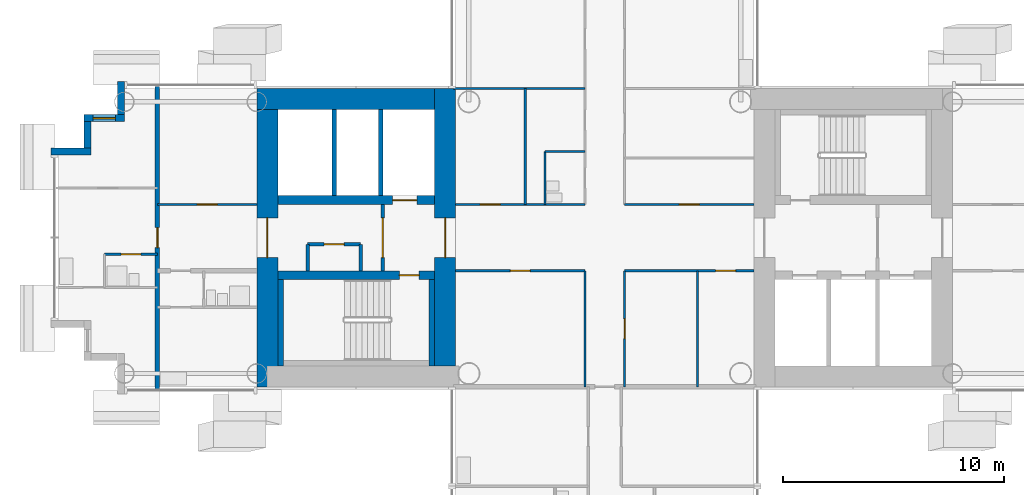
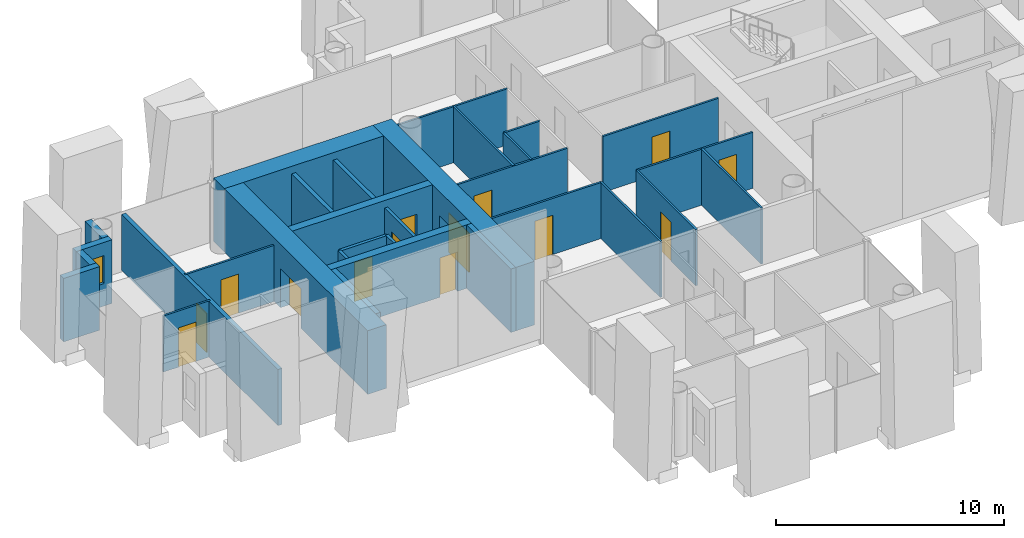
# One storey, part 9 of 21: 31 walls, 14 doors, 1 window, 15 openings.
"""IFC4 building model written with IfcOpenShell, lengths in metres."""

from ifc_helpers import new_model, si_unit, direction, frame, frame_2d, origin, place, context, subcontext, project, spatial, rectangle, extrude, material, layer, layer_set, type_object, element, fill, save


model = new_model("IFC4")

# Units and contexts
model_context = context("Model", 3, precision=1e-05, world=origin(), true_north=direction((0.0, 1.0)))
body_context = subcontext(model_context, "Body", "Model", "MODEL_VIEW")
ifc_project = project(units=[si_unit("LENGTHUNIT", "METRE"), si_unit("AREAUNIT", "SQUARE_METRE"), si_unit("VOLUMEUNIT", "CUBIC_METRE"), si_unit("PLANEANGLEUNIT", "RADIAN"), si_unit("MASSUNIT", "GRAM", prefix="KILO")], contexts=[model_context])

# Site, building, storey
site_placement = place(None, origin())
site = spatial("IfcSite", under=ifc_project, at=site_placement, CompositionType="ELEMENT")
building_placement = place(site_placement, origin())
building = spatial("IfcBuilding", under=site, at=building_placement, Name="Ipe Terrace Towers", CompositionType="ELEMENT")
storey_placement = place(building_placement, frame((0.0, 0.0, 93.60009765625)))
storey = spatial("IfcBuildingStorey", under=building, at=storey_placement, Name="L25", CompositionType="ELEMENT", Elevation=93.60009765625)

# Wall
ifc_material_1 = material(Name="Concrete C40/50 with buff precast cladding", Category="concrete")
ifc_layer_1 = layer(ifc_material_1, 0.320068359375)
ifc_layer_set_1 = layer_set([ifc_layer_1], Name="BUFF CLADDING WALL 320")
wall_type_1 = type_object("IfcWallType", Name="BUFF CLADDING WALL 320", PredefinedType="STANDARD", material=ifc_layer_set_1)
wall_1_placement = place(storey_placement, frame((-57.909912109375, 7.070068359375, -0.300048828125), z_axis=(0.0, 0.0, 1.0), x_axis=(0.0, -1.0, 0.0)))
element("IfcWall", 1, at=wall_1_placement, inside=storey, type_object=wall_type_1, Name="T1-W-L25-47a wall", PredefinedType="STANDARD", context=body_context, shape_type="SweptSolid", body=[
    extrude(rectangle(XDim=1.5, YDim=0.320068359375, at=frame_2d((0.75, 0.0))), origin(), (0.0, 0.0, 1.0), 3.39990234375),
])

# Wall, opening, window
wall_2_placement = place(storey_placement, frame((-57.75, 5.409912109375, -0.300048828125), z_axis=(0.0, 0.0, 1.0), x_axis=(-1.0, 0.0, 0.0)))
wall_2 = element("IfcWall", 2, at=wall_2_placement, inside=storey, type_object=wall_type_1, Name="T1-W-L25-48a wall", PredefinedType="STANDARD", context=body_context, shape_type="SweptSolid", body=[
    extrude(rectangle(XDim=1.820068359375, YDim=0.320068359375, at=frame_2d((0.91015625, 0.0))), origin(), (0.0, 0.0, 1.0), 3.39990234375),
])
opening_1_placement = place(wall_2_placement, frame((0.409912109375, 0.0, 1.199951171875)))
opening_1 = element("IfcOpeningElement", 3, at=opening_1_placement, cuts=wall_2, Name="Opening T1-W-05-L25-04", PredefinedType="OPENING", context=body_context, shape_type="SweptSolid", body=[
    extrude(rectangle(XDim=1.0, YDim=1.5, at=frame_2d((0.5, 0.75))), frame((0.0, 0.169921875, 0.0), z_axis=(0.0, -1.0, 0.0), x_axis=(1.0, 0.0, 0.0)), (0.0, 0.0, 1.0), 0.340087890625),
])
ifc_material_2 = material(Name="Glass, clear laminated", Category="glass")
window_type = type_object("IfcWindowType", Name="DWELLING WINDOW 1000 x 1500", PartitioningType="SINGLE_PANEL", PredefinedType="WINDOW", material=ifc_material_2)
window_placement = place(opening_1_placement, origin())
window = element("IfcWindow", 4, at=window_placement, inside=storey, type_object=window_type, Name="W-05 window", OverallHeight=1.5, OverallWidth=1.0, PartitioningType="SINGLE_PANEL", PredefinedType="WINDOW", context=body_context, shape_type="SweptSolid", body=[
    extrude(rectangle(XDim=1.0, YDim=1.5, at=frame_2d((0.5, 0.75))), frame((0.0, 0.030029296875, 0.0), z_axis=(0.0, -1.0, 0.0), x_axis=(1.0, 0.0, 0.0)), (0.0, 0.0, 1.0), 0.06005859375),
])
fill(opening_1, window)

# Walls
wall_3_placement = place(storey_placement, frame((-59.409912109375, 5.25, -0.300048828125), z_axis=(0.0, 0.0, 1.0), x_axis=(0.0, -1.0, 0.0)))
element("IfcWall", 5, at=wall_3_placement, inside=storey, type_object=wall_type_1, Name="T1-W-L25-49a wall", PredefinedType="STANDARD", context=body_context, shape_type="SweptSolid", body=[
    extrude(rectangle(XDim=1.179931640625, YDim=0.320068359375, at=frame_2d((0.58984375, 0.0))), origin(), (0.0, 0.0, 1.0), 3.39990234375),
])
wall_4_placement = place(storey_placement, frame((-59.25, 3.909912109375, -0.300048828125), z_axis=(0.0, 0.0, 1.0), x_axis=(-1.0, 0.0, 0.0)))
element("IfcWall", 6, at=wall_4_placement, inside=storey, type_object=wall_type_1, Name="T1-W-L25-50a wall", PredefinedType="STANDARD", context=body_context, shape_type="SweptSolid", body=[
    extrude(rectangle(XDim=1.820068359375, YDim=0.320068359375, at=frame_2d((0.91015625, 0.0))), origin(), (0.0, 0.0, 1.0), 3.39990234375),
])
ifc_material_3 = material(Name="Gypsum board partition", Category="plasterboard")
ifc_layer_2 = layer(ifc_material_3, 0.10009765625)
ifc_layer_set_2 = layer_set([ifc_layer_2], Name="Gypsum board partition 100 mm")
wall_type_2 = type_object("IfcWallType", Name="Gypsum board partition 100 mm", PredefinedType="PARTITIONING", material=ifc_layer_set_2)
wall_5_placement = place(storey_placement, frame((-39.60009765625, 1.5, 0.0), z_axis=(0.0, 0.0, 1.0), x_axis=(0.0, 1.0, 0.0)))
element("IfcWall", 7, at=wall_5_placement, inside=storey, type_object=wall_type_2, Name="Gypsum board partition T1 L25 W04", PredefinedType="PARTITIONING", context=body_context, shape_type="SweptSolid", body=[
    extrude(rectangle(XDim=5.25, YDim=0.10009765625, at=frame_2d((2.625, 0.0))), origin(), (0.0, 0.0, 1.0), 3.0),
])
wall_6_placement = place(storey_placement, frame((-38.699951171875, 1.5, 0.0), z_axis=(0.0, 0.0, 1.0), x_axis=(0.0, 1.0, 0.0)))
element("IfcWall", 8, at=wall_6_placement, inside=storey, type_object=wall_type_2, Name="Gypsum board partition T1 L25 W05", PredefinedType="PARTITIONING", context=body_context, shape_type="SweptSolid", body=[
    extrude(rectangle(XDim=2.39990234375, YDim=0.10009765625, at=frame_2d((1.199951171875, 0.0))), origin(), (0.0, 0.0, 1.0), 3.0),
])
wall_7_placement = place(storey_placement, frame((-36.89990234375, -6.75, 0.0), z_axis=(0.0, 0.0, 1.0), x_axis=(0.0, 1.0, 0.0)))
element("IfcWall", 9, at=wall_7_placement, inside=storey, type_object=wall_type_2, Name="Gypsum board partition T1 L25 W07", PredefinedType="PARTITIONING", context=body_context, shape_type="SweptSolid", body=[
    extrude(rectangle(XDim=5.25, YDim=0.10009765625, at=frame_2d((2.625, 0.0))), origin(), (0.0, 0.0, 1.0), 3.0),
])

# Wall, opening, door
wall_8_placement = place(storey_placement, frame((-35.10009765625, -6.75, 0.0), z_axis=(0.0, 0.0, 1.0), x_axis=(0.0, 1.0, 0.0)))
wall_8 = element("IfcWall", 10, at=wall_8_placement, inside=storey, type_object=wall_type_2, Name="Gypsum board partition T1 L25 W11", PredefinedType="PARTITIONING", context=body_context, shape_type="SweptSolid", body=[
    extrude(rectangle(XDim=5.25, YDim=0.10009765625, at=frame_2d((2.625, 0.0))), origin(), (0.0, 0.0, 1.0), 3.0),
])
opening_2_placement = place(wall_8_placement, frame((2.175048828125, 0.0, 0.0)))
opening_2 = element("IfcOpeningElement", 11, at=opening_2_placement, cuts=wall_8, Name="Opening T1-Z2C-07", PredefinedType="OPENING", context=body_context, shape_type="SweptSolid", body=[
    extrude(rectangle(XDim=0.89990234375, YDim=2.10009765625, at=frame_2d((0.449951171875, 1.050048828125))), frame((0.0, 0.06005859375, 0.0), z_axis=(0.0, -1.0, 0.0), x_axis=(1.0, 0.0, 0.0)), (0.0, 0.0, 1.0), 0.1201171875),
])
ifc_material_4 = material(Name="Timber door leaf", Category="wood")
door_type_1 = type_object("IfcDoorType", Name="Lounge door 900 x 2100", OperationType="NOTDEFINED", PredefinedType="DOOR", material=ifc_material_4)
door_1_placement = place(opening_2_placement, origin())
door_1 = element("IfcDoor", 12, at=door_1_placement, inside=storey, type_object=door_type_1, Name="Lounge door T1-Z2C-07", OperationType="SINGLE_SWING_RIGHT", OverallHeight=2.10009765625, OverallWidth=0.89990234375, PredefinedType="DOOR", context=body_context, shape_type="SweptSolid", body=[
    extrude(rectangle(XDim=0.89990234375, YDim=2.10009765625, at=frame_2d((0.449951171875, 1.050048828125))), frame((0.0, 0.02490234375, 0.0), z_axis=(0.0, -1.0, 0.0), x_axis=(1.0, 0.0, 0.0)), (0.0, 0.0, 1.0), 0.050048828125),
])
fill(opening_2, door_1)

# Wall
wall_9_placement = place(storey_placement, frame((-31.800048828125, -6.75, 0.0), z_axis=(0.0, 0.0, 1.0), x_axis=(0.0, 1.0, 0.0)))
element("IfcWall", 13, at=wall_9_placement, inside=storey, type_object=wall_type_2, Name="Gypsum board partition T1 L25 W14", PredefinedType="PARTITIONING", context=body_context, shape_type="SweptSolid", body=[
    extrude(rectangle(XDim=5.25, YDim=0.10009765625, at=frame_2d((2.625, 0.0))), origin(), (0.0, 0.0, 1.0), 3.0),
])

# Wall, opening, door
wall_10_placement = place(storey_placement, frame((-42.75, -1.5, 0.0), z_axis=(0.0, 0.0, 1.0), x_axis=(1.0, 0.0, 0.0)))
wall_10 = element("IfcWall", 14, at=wall_10_placement, inside=storey, type_object=wall_type_2, Name="Gypsum board partition T1 L25 W24", PredefinedType="PARTITIONING", context=body_context, shape_type="SweptSolid", body=[
    extrude(rectangle(XDim=5.85009765625, YDim=0.10009765625, at=frame_2d((2.925048828125, 0.0))), origin(), (0.0, 0.0, 1.0), 3.0),
])
opening_3_placement = place(wall_10_placement, frame((2.47509765625, 0.0, 0.0)))
opening_3 = element("IfcOpeningElement", 15, at=opening_3_placement, cuts=wall_10, Name="Opening T1-Z2C-06", PredefinedType="OPENING", context=body_context, shape_type="SweptSolid", body=[
    extrude(rectangle(XDim=0.89990234375, YDim=2.10009765625, at=frame_2d((0.449951171875, 1.050048828125))), frame((0.0, 0.06005859375, 0.0), z_axis=(0.0, -1.0, 0.0), x_axis=(1.0, 0.0, 0.0)), (0.0, 0.0, 1.0), 0.1201171875),
])
door_2_placement = place(opening_3_placement, origin())
door_2 = element("IfcDoor", 16, at=door_2_placement, inside=storey, type_object=door_type_1, Name="Lounge door T1-Z2C-06", OperationType="SINGLE_SWING_LEFT", OverallHeight=2.10009765625, OverallWidth=0.89990234375, PredefinedType="DOOR", context=body_context, shape_type="SweptSolid", body=[
    extrude(rectangle(XDim=0.89990234375, YDim=2.10009765625, at=frame_2d((0.449951171875, 1.050048828125))), frame((0.0, 0.02490234375, 0.0), z_axis=(0.0, -1.0, 0.0), x_axis=(1.0, 0.0, 0.0)), (0.0, 0.0, 1.0), 0.050048828125),
])
fill(opening_3, door_2)

wall_11_placement = place(storey_placement, frame((-35.10009765625, -1.5, 0.0), z_axis=(0.0, 0.0, 1.0), x_axis=(1.0, 0.0, 0.0)))
wall_11 = element("IfcWall", 17, at=wall_11_placement, inside=storey, type_object=wall_type_2, Name="Gypsum board partition T1 L25 W25", PredefinedType="PARTITIONING", context=body_context, shape_type="SweptSolid", body=[
    extrude(rectangle(XDim=5.85009765625, YDim=0.10009765625, at=frame_2d((2.925048828125, 0.0))), origin(), (0.0, 0.0, 1.0), 3.0),
])
opening_4_placement = place(wall_11_placement, frame((4.125, 0.0, 0.0)))
opening_4 = element("IfcOpeningElement", 18, at=opening_4_placement, cuts=wall_11, Name="Opening T1-Z2C-08", PredefinedType="OPENING", context=body_context, shape_type="SweptSolid", body=[
    extrude(rectangle(XDim=0.89990234375, YDim=2.10009765625, at=frame_2d((0.449951171875, 1.050048828125))), frame((0.0, 0.06005859375, 0.0), z_axis=(0.0, -1.0, 0.0), x_axis=(1.0, 0.0, 0.0)), (0.0, 0.0, 1.0), 0.1201171875),
])
door_3_placement = place(opening_4_placement, origin())
door_3 = element("IfcDoor", 19, at=door_3_placement, inside=storey, type_object=door_type_1, Name="Lounge door T1-Z2C-08", OperationType="SINGLE_SWING_RIGHT", OverallHeight=2.10009765625, OverallWidth=0.89990234375, PredefinedType="DOOR", context=body_context, shape_type="SweptSolid", body=[
    extrude(rectangle(XDim=0.89990234375, YDim=2.10009765625, at=frame_2d((0.449951171875, 1.050048828125))), frame((0.0, 0.02490234375, 0.0), z_axis=(0.0, -1.0, 0.0), x_axis=(1.0, 0.0, 0.0)), (0.0, 0.0, 1.0), 0.050048828125),
])
fill(opening_4, door_3)

wall_12_placement = place(storey_placement, frame((-58.64990234375, -0.75, 0.0), z_axis=(0.0, 0.0, 1.0), x_axis=(1.0, 0.0, 0.0)))
wall_12 = element("IfcWall", 20, at=wall_12_placement, inside=storey, type_object=wall_type_2, Name="Gypsum board partition T1 L25 W28", PredefinedType="PARTITIONING", context=body_context, shape_type="SweptSolid", body=[
    extrude(rectangle(XDim=2.39990234375, YDim=0.10009765625, at=frame_2d((1.199951171875, 0.0))), origin(), (0.0, 0.0, 1.0), 3.0),
])
opening_5_placement = place(wall_12_placement, frame((0.75, 0.0, 0.0)))
opening_5 = element("IfcOpeningElement", 21, at=opening_5_placement, cuts=wall_12, Name="Opening T1-Z2C-29", PredefinedType="OPENING", context=body_context, shape_type="SweptSolid", body=[
    extrude(rectangle(XDim=0.89990234375, YDim=2.10009765625, at=frame_2d((0.449951171875, 1.050048828125))), frame((0.0, 0.06005859375, 0.0), z_axis=(0.0, -1.0, 0.0), x_axis=(1.0, 0.0, 0.0)), (0.0, 0.0, 1.0), 0.1201171875),
])
ifc_material_5 = material(Name="Timber door leaf", Category="wood")
door_type_2 = type_object("IfcDoorType", Name="Bathroom door 900 x 2100", OperationType="NOTDEFINED", PredefinedType="DOOR", material=ifc_material_5)
door_4_placement = place(opening_5_placement, origin())
door_4 = element("IfcDoor", 22, at=door_4_placement, inside=storey, type_object=door_type_2, Name="Bathroom door T1-Z2C-29", OperationType="SINGLE_SWING_RIGHT", OverallHeight=2.10009765625, OverallWidth=0.89990234375, PredefinedType="DOOR", context=body_context, shape_type="SweptSolid", body=[
    extrude(rectangle(XDim=0.89990234375, YDim=2.10009765625, at=frame_2d((0.449951171875, 1.050048828125))), frame((0.0, 0.02490234375, 0.0), z_axis=(0.0, -1.0, 0.0), x_axis=(1.0, 0.0, 0.0)), (0.0, 0.0, 1.0), 0.050048828125),
])
fill(opening_5, door_4)

wall_13_placement = place(storey_placement, frame((-56.25, 1.5, 0.0), z_axis=(0.0, 0.0, 1.0), x_axis=(1.0, 0.0, 0.0)))
wall_13 = element("IfcWall", 23, at=wall_13_placement, inside=storey, type_object=wall_type_2, Name="Gypsum board partition T1 L25 W29", PredefinedType="PARTITIONING", context=body_context, shape_type="SweptSolid", body=[
    extrude(rectangle(XDim=4.5, YDim=0.10009765625, at=frame_2d((2.25, 0.0))), origin(), (0.0, 0.0, 1.0), 3.0),
])
opening_6_placement = place(wall_13_placement, frame((1.800048828125, 0.0, 0.0)))
opening_6 = element("IfcOpeningElement", 24, at=opening_6_placement, cuts=wall_13, Name="Opening T1-Z2C-28", PredefinedType="OPENING", context=body_context, shape_type="SweptSolid", body=[
    extrude(rectangle(XDim=0.89990234375, YDim=2.10009765625, at=frame_2d((0.449951171875, 1.050048828125))), frame((0.0, 0.06005859375, 0.0), z_axis=(0.0, -1.0, 0.0), x_axis=(1.0, 0.0, 0.0)), (0.0, 0.0, 1.0), 0.1201171875),
])
door_5_placement = place(opening_6_placement, origin())
door_5 = element("IfcDoor", 25, at=door_5_placement, inside=storey, type_object=door_type_1, Name="Lounge door T1-Z2C-28", OperationType="SINGLE_SWING_LEFT", OverallHeight=2.10009765625, OverallWidth=0.89990234375, PredefinedType="DOOR", context=body_context, shape_type="SweptSolid", body=[
    extrude(rectangle(XDim=0.89990234375, YDim=2.10009765625, at=frame_2d((0.449951171875, 1.050048828125))), frame((0.0, 0.02490234375, 0.0), z_axis=(0.0, -1.0, 0.0), x_axis=(1.0, 0.0, 0.0)), (0.0, 0.0, 1.0), 0.050048828125),
])
fill(opening_6, door_5)

wall_14_placement = place(storey_placement, frame((-42.75, 1.5, 0.0), z_axis=(0.0, 0.0, 1.0), x_axis=(1.0, 0.0, 0.0)))
wall_14 = element("IfcWall", 26, at=wall_14_placement, inside=storey, type_object=wall_type_2, Name="Gypsum board partition T1 L25 W30", PredefinedType="PARTITIONING", context=body_context, shape_type="SweptSolid", body=[
    extrude(rectangle(XDim=5.85009765625, YDim=0.10009765625, at=frame_2d((2.925048828125, 0.0))), origin(), (0.0, 0.0, 1.0), 3.0),
])
opening_7_placement = place(wall_14_placement, frame((1.125, 0.0, 0.0)))
opening_7 = element("IfcOpeningElement", 27, at=opening_7_placement, cuts=wall_14, Name="Opening T1-Z2C-05", PredefinedType="OPENING", context=body_context, shape_type="SweptSolid", body=[
    extrude(rectangle(XDim=0.89990234375, YDim=2.10009765625, at=frame_2d((0.449951171875, 1.050048828125))), frame((0.0, 0.06005859375, 0.0), z_axis=(0.0, -1.0, 0.0), x_axis=(1.0, 0.0, 0.0)), (0.0, 0.0, 1.0), 0.1201171875),
])
door_6_placement = place(opening_7_placement, origin())
door_6 = element("IfcDoor", 28, at=door_6_placement, inside=storey, type_object=door_type_1, Name="Lounge door T1-Z2C-05", OperationType="SINGLE_SWING_RIGHT", OverallHeight=2.10009765625, OverallWidth=0.89990234375, PredefinedType="DOOR", context=body_context, shape_type="SweptSolid", body=[
    extrude(rectangle(XDim=0.89990234375, YDim=2.10009765625, at=frame_2d((0.449951171875, 1.050048828125))), frame((0.0, 0.02490234375, 0.0), z_axis=(0.0, -1.0, 0.0), x_axis=(1.0, 0.0, 0.0)), (0.0, 0.0, 1.0), 0.050048828125),
])
fill(opening_7, door_6)

wall_15_placement = place(storey_placement, frame((-35.10009765625, 1.5, 0.0), z_axis=(0.0, 0.0, 1.0), x_axis=(1.0, 0.0, 0.0)))
wall_15 = element("IfcWall", 29, at=wall_15_placement, inside=storey, type_object=wall_type_2, Name="Gypsum board partition T1 L25 W31", PredefinedType="PARTITIONING", context=body_context, shape_type="SweptSolid", body=[
    extrude(rectangle(XDim=5.85009765625, YDim=0.10009765625, at=frame_2d((2.925048828125, 0.0))), origin(), (0.0, 0.0, 1.0), 3.0),
])
opening_8_placement = place(wall_15_placement, frame((2.47509765625, 0.0, 0.0)))
opening_8 = element("IfcOpeningElement", 30, at=opening_8_placement, cuts=wall_15, Name="Opening T1-Z2C-02", PredefinedType="OPENING", context=body_context, shape_type="SweptSolid", body=[
    extrude(rectangle(XDim=0.89990234375, YDim=2.10009765625, at=frame_2d((0.449951171875, 1.050048828125))), frame((0.0, 0.06005859375, 0.0), z_axis=(0.0, -1.0, 0.0), x_axis=(1.0, 0.0, 0.0)), (0.0, 0.0, 1.0), 0.1201171875),
])
door_7_placement = place(opening_8_placement, origin())
door_7 = element("IfcDoor", 31, at=door_7_placement, inside=storey, type_object=door_type_1, Name="Lounge door T1-Z2C-02", OperationType="SINGLE_SWING_LEFT", OverallHeight=2.10009765625, OverallWidth=0.89990234375, PredefinedType="DOOR", context=body_context, shape_type="SweptSolid", body=[
    extrude(rectangle(XDim=0.89990234375, YDim=2.10009765625, at=frame_2d((0.449951171875, 1.050048828125))), frame((0.0, 0.02490234375, 0.0), z_axis=(0.0, -1.0, 0.0), x_axis=(1.0, 0.0, 0.0)), (0.0, 0.0, 1.0), 0.050048828125),
])
fill(opening_8, door_7)

# Walls
wall_16_placement = place(storey_placement, frame((-38.699951171875, 3.89990234375, 0.0), z_axis=(0.0, 0.0, 1.0), x_axis=(1.0, 0.0, 0.0)))
element("IfcWall", 32, at=wall_16_placement, inside=storey, type_object=wall_type_2, Name="Gypsum board partition T1 L25 W35", PredefinedType="PARTITIONING", context=body_context, shape_type="SweptSolid", body=[
    extrude(rectangle(XDim=1.800048828125, YDim=0.10009765625, at=frame_2d((0.89990234375, 0.0))), origin(), (0.0, 0.0, 1.0), 3.0),
])
wall_17_placement = place(storey_placement, frame((-42.85009765625, 6.75, 0.0), z_axis=(0.0, 0.0, 1.0), x_axis=(1.0, 0.0, 0.0)))
element("IfcWall", 33, at=wall_17_placement, inside=storey, type_object=wall_type_2, Name="Gypsum board partition T1 L25 W36", PredefinedType="PARTITIONING", context=body_context, shape_type="SweptSolid", body=[
    extrude(rectangle(XDim=5.9501953125, YDim=0.10009765625, at=frame_2d((2.97509765625, 0.0))), origin(), (0.0, 0.0, 1.0), 3.0),
])

# Wall, opening, door
ifc_material_6 = material(Name="Gypsum board partition", Category="plasterboard")
ifc_layer_3 = layer(ifc_material_6, 0.14990234375)
ifc_layer_set_3 = layer_set([ifc_layer_3], Name="Gypsum board partition 150 mm")
wall_type_3 = type_object("IfcWallType", Name="Gypsum board partition 150 mm", PredefinedType="PARTITIONING", material=ifc_layer_set_3)
wall_18_placement = place(storey_placement, frame((-46.050048828125, 1.5, 0.0), z_axis=(0.0, 0.0, 1.0), x_axis=(0.0, -1.0, 0.0)))
wall_18 = element("IfcWall", 34, at=wall_18_placement, inside=storey, type_object=wall_type_3, Name="Gypsum board partition T1 L25 t1c2-lobby-wall", PredefinedType="PARTITIONING", context=body_context, shape_type="SweptSolid", body=[
    extrude(rectangle(XDim=3.0, YDim=0.14990234375, at=frame_2d((1.5, 0.0))), origin(), (0.0, 0.0, 1.0), 3.0),
])
opening_9_placement = place(wall_18_placement, frame((0.60009765625, 0.0, 0.0)))
opening_9 = element("IfcOpeningElement", 35, at=opening_9_placement, cuts=wall_18, Name="Opening T1C2-VD", PredefinedType="OPENING", context=body_context, shape_type="SweptSolid", body=[
    extrude(rectangle(XDim=1.800048828125, YDim=2.10009765625, at=frame_2d((0.89990234375, 1.050048828125))), frame((0.0, 0.0849609375, 0.0), z_axis=(0.0, -1.0, 0.0), x_axis=(1.0, 0.0, 0.0)), (0.0, 0.0, 1.0), 0.169921875),
])
ifc_material_7 = material(Name="Fire-rated timber door leaf", Category="wood")
door_type_3 = type_object("IfcDoorType", Name="Lobby door 1800 x 2100 FD60", OperationType="NOTDEFINED", PredefinedType="DOOR", material=ifc_material_7)
door_8_placement = place(opening_9_placement, origin())
door_8 = element("IfcDoor", 36, at=door_8_placement, inside=storey, type_object=door_type_3, Name="Lobby door T1C2-VD", OperationType="SINGLE_SWING_LEFT", OverallHeight=2.10009765625, OverallWidth=1.800048828125, PredefinedType="DOOR", context=body_context, shape_type="SweptSolid", body=[
    extrude(rectangle(XDim=1.800048828125, YDim=2.10009765625, at=frame_2d((0.89990234375, 1.050048828125))), frame((0.0, 0.02490234375, 0.0), z_axis=(0.0, -1.0, 0.0), x_axis=(1.0, 0.0, 0.0)), (0.0, 0.0, 1.0), 0.050048828125),
])
fill(opening_9, door_8)

wall_19_placement = place(storey_placement, frame((-47.050048828125, -0.300048828125, 0.0), z_axis=(0.0, 0.0, 1.0), x_axis=(-1.0, 0.0, 0.0)))
wall_19 = element("IfcWall", 37, at=wall_19_placement, inside=storey, type_object=wall_type_3, Name="Gypsum board partition T1 L25 t1c2-cup-n-f", PredefinedType="PARTITIONING", context=body_context, shape_type="SweptSolid", body=[
    extrude(rectangle(XDim=2.39990234375, YDim=0.14990234375, at=frame_2d((1.199951171875, 0.0))), origin(), (0.0, 0.0, 1.0), 3.0),
])
opening_10_placement = place(wall_19_placement, frame((0.75, 0.0, 0.0)))
opening_10 = element("IfcOpeningElement", 38, at=opening_10_placement, cuts=wall_19, Name="Opening T1C2-SR", PredefinedType="OPENING", context=body_context, shape_type="SweptSolid", body=[
    extrude(rectangle(XDim=0.89990234375, YDim=2.10009765625, at=frame_2d((0.449951171875, 1.050048828125))), frame((0.0, 0.0849609375, 0.0), z_axis=(0.0, -1.0, 0.0), x_axis=(1.0, 0.0, 0.0)), (0.0, 0.0, 1.0), 0.169921875),
])
ifc_material_8 = material(Name="Fire-rated timber door leaf", Category="wood")
door_type_4 = type_object("IfcDoorType", Name="Service door 900 x 2100 FD60", OperationType="NOTDEFINED", PredefinedType="DOOR", material=ifc_material_8)
door_9_placement = place(opening_10_placement, origin())
door_9 = element("IfcDoor", 39, at=door_9_placement, inside=storey, type_object=door_type_4, Name="Service door T1C2-SR", OperationType="SINGLE_SWING_LEFT", OverallHeight=2.10009765625, OverallWidth=0.89990234375, PredefinedType="DOOR", context=body_context, shape_type="SweptSolid", body=[
    extrude(rectangle(XDim=0.89990234375, YDim=2.10009765625, at=frame_2d((0.449951171875, 1.050048828125))), frame((0.0, 0.02490234375, 0.0), z_axis=(0.0, -1.0, 0.0), x_axis=(1.0, 0.0, 0.0)), (0.0, 0.0, 1.0), 0.050048828125),
])
fill(opening_10, door_9)

# Walls
for number, where, z_axis, x_axis, name in (
    (40, (-47.050048828125, -0.300048828125, 0.0), (0.0, 0.0, 1.0), (0.0, -1.0, 0.0), "Gypsum board partition T1 L25 t1c2-cup-n-a"),
    (41, (-49.449951171875, -0.300048828125, 0.0), (0.0, 0.0, 1.0), (0.0, -1.0, 0.0), "Gypsum board partition T1 L25 t1c2-cup-n-b"),
):
    element("IfcWall", number, at=place(storey_placement, frame(where, z_axis=z_axis, x_axis=x_axis)), inside=storey, type_object=wall_type_3, Name=name, PredefinedType="PARTITIONING", context=body_context, shape_type="SweptSolid", body=[
        extrude(rectangle(XDim=1.199951171875, YDim=0.14990234375, at=frame_2d((0.60009765625, 0.0))), origin(), (0.0, 0.0, 1.0), 3.0),
    ])
ifc_material_9 = material(Name="Gypsum board party wall", Category="plasterboard")
ifc_layer_4 = layer(ifc_material_9, 0.199951171875)
ifc_layer_set_4 = layer_set([ifc_layer_4], Name="Gypsum board party wall 200 mm")
wall_type_4 = type_object("IfcWallType", Name="Gypsum board party wall 200 mm", PredefinedType="SOLIDWALL", material=ifc_layer_set_4)
for number, where, z_axis, x_axis, name in (
    (42, (-46.14990234375, 5.800048828125, 0.0), (0.0, 0.0, 1.0), (0.0, -1.0, 0.0), "Gypsum board party wall T1 L25 t1c2-shaft-div1"),
    (43, (-48.25, 5.800048828125, 0.0), (0.0, 0.0, 1.0), (0.0, -1.0, 0.0), "Gypsum board party wall T1 L25 t1c2-shaft-div2"),
):
    element("IfcWall", number, at=place(storey_placement, frame(where, z_axis=z_axis, x_axis=x_axis)), inside=storey, type_object=wall_type_4, Name=name, PredefinedType="SOLIDWALL", context=body_context, shape_type="SweptSolid", body=[
        extrude(rectangle(XDim=3.900146484375, YDim=0.199951171875, at=frame_2d((1.9501953125, 0.0))), origin(), (0.0, 0.0, 1.0), 3.0),
    ])

# Wall, opening, door
wall_20_placement = place(storey_placement, frame((-56.25, -6.85009765625, 0.0), z_axis=(0.0, 0.0, 1.0), x_axis=(0.0, 1.0, 0.0)))
wall_20 = element("IfcWall", 44, at=wall_20_placement, inside=storey, type_object=wall_type_4, Name="Gypsum board party wall T1 L25 W02", PredefinedType="SOLIDWALL", context=body_context, shape_type="SweptSolid", body=[
    extrude(rectangle(XDim=13.7001953125, YDim=0.199951171875, at=frame_2d((6.85009765625, 0.0))), origin(), (0.0, 0.0, 1.0), 3.0),
])
opening_11_placement = place(wall_20_placement, frame((6.39990234375, 0.0, 0.0)))
opening_11 = element("IfcOpeningElement", 45, at=opening_11_placement, cuts=wall_20, Name="Opening T1-Z2C-30", PredefinedType="OPENING", context=body_context, shape_type="SweptSolid", body=[
    extrude(rectangle(XDim=0.89990234375, YDim=2.10009765625, at=frame_2d((0.449951171875, 1.050048828125))), frame((0.0, 0.10986328125, 0.0), z_axis=(0.0, -1.0, 0.0), x_axis=(1.0, 0.0, 0.0)), (0.0, 0.0, 1.0), 0.219970703125),
])
ifc_material_10 = material(Name="Fire-rated timber door leaf", Category="wood")
door_type_5 = type_object("IfcDoorType", Name="Flat entrance door 900 x 2100 FD30S", OperationType="NOTDEFINED", PredefinedType="DOOR", material=ifc_material_10)
door_10_placement = place(opening_11_placement, origin())
door_10 = element("IfcDoor", 46, at=door_10_placement, inside=storey, type_object=door_type_5, Name="Flat entrance door T1-Z2C-30", OperationType="SINGLE_SWING_LEFT", OverallHeight=2.10009765625, OverallWidth=0.89990234375, PredefinedType="DOOR", context=body_context, shape_type="SweptSolid", body=[
    extrude(rectangle(XDim=0.89990234375, YDim=2.10009765625, at=frame_2d((0.449951171875, 1.050048828125))), frame((0.0, 0.02490234375, 0.0), z_axis=(0.0, -1.0, 0.0), x_axis=(1.0, 0.0, 0.0)), (0.0, 0.0, 1.0), 0.050048828125),
])
fill(opening_11, door_10)

# Walls
ifc_material_11 = material(Name="Concrete C50/60", Category="concrete")
ifc_layer_5 = layer(ifc_material_11, 0.25)
ifc_layer_set_5 = layer_set([ifc_layer_5], Name="RW250 CORE INFILL WALL 250 C50-60")
wall_type_5 = type_object("IfcWallType", Name="RW250 CORE INFILL WALL 250 C50-60", PredefinedType="SHEAR", material=ifc_layer_set_5)
for number, where, z_axis, x_axis, name in (
    (47, (-50.675048828125, -1.89990234375, 0.0), (0.0, 0.0, 1.0), (0.0, -1.0, 0.0), "Core infill wall T1-C2-far"),
    (48, (-43.824951171875, -1.89990234375, 0.0), (0.0, 0.0, 1.0), (0.0, -1.0, 0.0), "Core infill wall T1-C2-near"),
):
    element("IfcWall", number, at=place(storey_placement, frame(where, z_axis=z_axis, x_axis=x_axis)), inside=storey, type_object=wall_type_5, Name=name, PredefinedType="SHEAR", context=body_context, shape_type="SweptSolid", body=[
        extrude(rectangle(XDim=3.900146484375, YDim=0.25, at=frame_2d((1.9501953125, 0.0))), origin(), (0.0, 0.0, 1.0), 3.39990234375),
    ])

# Wall, opening, door
ifc_material_12 = material(Name="Concrete C50/60", Category="concrete")
ifc_layer_6 = layer(ifc_material_12, 0.39990234375)
ifc_layer_set_6 = layer_set([ifc_layer_6], Name="RW400 CORE SPINE WALL 400 C50-60")
wall_type_6 = type_object("IfcWallType", Name="RW400 CORE SPINE WALL 400 C50-60", PredefinedType="SHEAR", material=ifc_layer_set_6)
wall_21_placement = place(storey_placement, frame((-50.800048828125, -1.699951171875, 0.0), z_axis=(0.0, 0.0, 1.0), x_axis=(1.0, 0.0, 0.0)))
wall_21 = element("IfcWall", 49, at=wall_21_placement, inside=storey, type_object=wall_type_6, Name="Core spine wall T1-C2-Z2-SW1", PredefinedType="SHEAR", context=body_context, shape_type="SweptSolid", body=[
    extrude(rectangle(XDim=7.10009765625, YDim=0.39990234375, at=frame_2d((3.550048828125, 0.0))), origin(), (0.0, 0.0, 1.0), 3.39990234375),
])
opening_12_placement = place(wall_21_placement, frame((5.5, 0.0, 0.0)))
opening_12 = element("IfcOpeningElement", 50, at=opening_12_placement, cuts=wall_21, Name="Opening T1C2-SD", PredefinedType="OPENING", context=body_context, shape_type="SweptSolid", body=[
    extrude(rectangle(XDim=0.89990234375, YDim=2.10009765625, at=frame_2d((0.449951171875, 1.050048828125))), frame((0.0, 0.2099609375, 0.0), z_axis=(0.0, -1.0, 0.0), x_axis=(1.0, 0.0, 0.0)), (0.0, 0.0, 1.0), 0.419921875),
])
ifc_material_13 = material(Name="Fire-rated timber door leaf", Category="wood")
door_type_6 = type_object("IfcDoorType", Name="Stair door 900 x 2100 FD60", OperationType="NOTDEFINED", PredefinedType="DOOR", material=ifc_material_13)
door_11_placement = place(opening_12_placement, origin())
door_11 = element("IfcDoor", 51, at=door_11_placement, inside=storey, type_object=door_type_6, Name="Stair door T1C2-SD", OperationType="SINGLE_SWING_RIGHT", OverallHeight=2.10009765625, OverallWidth=0.89990234375, PredefinedType="DOOR", context=body_context, shape_type="SweptSolid", body=[
    extrude(rectangle(XDim=0.89990234375, YDim=2.10009765625, at=frame_2d((0.449951171875, 1.050048828125))), frame((0.0, 0.02490234375, 0.0), z_axis=(0.0, -1.0, 0.0), x_axis=(1.0, 0.0, 0.0)), (0.0, 0.0, 1.0), 0.050048828125),
])
fill(opening_12, door_11)

wall_22_placement = place(storey_placement, frame((-50.800048828125, 1.699951171875, 0.0), z_axis=(0.0, 0.0, 1.0), x_axis=(1.0, 0.0, 0.0)))
wall_22 = element("IfcWall", 52, at=wall_22_placement, inside=storey, type_object=wall_type_6, Name="Core spine wall T1-C2-Z2-SW2", PredefinedType="SHEAR", context=body_context, shape_type="SweptSolid", body=[
    extrude(rectangle(XDim=7.10009765625, YDim=0.39990234375, at=frame_2d((3.550048828125, 0.0))), origin(), (0.0, 0.0, 1.0), 3.39990234375),
])
opening_13_placement = place(wall_22_placement, frame((5.199951171875, 0.0, 0.0)))
opening_13 = element("IfcOpeningElement", 53, at=opening_13_placement, cuts=wall_22, Name="Opening T1C2-LD1", PredefinedType="OPENING", context=body_context, shape_type="SweptSolid", body=[
    extrude(rectangle(XDim=1.10009765625, YDim=2.10009765625, at=frame_2d((0.550048828125, 1.050048828125))), frame((0.0, 0.2099609375, 0.0), z_axis=(0.0, -1.0, 0.0), x_axis=(1.0, 0.0, 0.0)), (0.0, 0.0, 1.0), 0.419921875),
])
ifc_material_14 = material(Name="Fire-rated timber door leaf", Category="wood")
door_type_7 = type_object("IfcDoorType", Name="Sliding door 1100 x 2100 FD60", OperationType="SLIDING_TO_LEFT", PredefinedType="DOOR", material=ifc_material_14)
door_12_placement = place(opening_13_placement, origin())
door_12 = element("IfcDoor", 54, at=door_12_placement, inside=storey, type_object=door_type_7, Name="Sliding door T1C2-LD1", OperationType="SLIDING_TO_LEFT", OverallHeight=2.10009765625, OverallWidth=1.10009765625, PredefinedType="DOOR", context=body_context, shape_type="SweptSolid", body=[
    extrude(rectangle(XDim=1.10009765625, YDim=2.10009765625, at=frame_2d((0.550048828125, 1.050048828125))), frame((0.0, 0.02490234375, 0.0), z_axis=(0.0, -1.0, 0.0), x_axis=(1.0, 0.0, 0.0)), (0.0, 0.0, 1.0), 0.050048828125),
])
fill(opening_13, door_12)

ifc_material_15 = material(Name="Concrete C50/60", Category="concrete")
ifc_layer_7 = layer(ifc_material_15, 0.949951171875)
ifc_layer_set_7 = layer_set([ifc_layer_7], Name="RW950 CORE WALL 950 C50-60")
wall_type_7 = type_object("IfcWallType", Name="RW950 CORE WALL 950 C50-60", PredefinedType="SHEAR", material=ifc_layer_set_7)
wall_23_placement = place(storey_placement, frame((-43.22509765625, -5.800048828125, 0.0), z_axis=(0.0, 0.0, 1.0), x_axis=(0.0, 1.0, 0.0)))
wall_23 = element("IfcWall", 55, at=wall_23_placement, inside=storey, type_object=wall_type_7, Name="Core wall T1-C2-Z2-W02", PredefinedType="SHEAR", context=body_context, shape_type="SweptSolid", body=[
    extrude(rectangle(XDim=12.550048828125, YDim=0.949951171875, at=frame_2d((6.27490234375, 0.0))), origin(), (0.0, 0.0, 1.0), 3.39990234375),
])
opening_14_placement = place(wall_23_placement, frame((4.89990234375, 0.0, 0.0)))
opening_14 = element("IfcOpeningElement", 56, at=opening_14_placement, cuts=wall_23, Name="Opening T1C2-ND", PredefinedType="OPENING", context=body_context, shape_type="SweptSolid", body=[
    extrude(rectangle(XDim=1.800048828125, YDim=2.10009765625, at=frame_2d((0.89990234375, 1.050048828125))), frame((0.0, 0.48486328125, 0.0), z_axis=(0.0, -1.0, 0.0), x_axis=(1.0, 0.0, 0.0)), (0.0, 0.0, 1.0), 0.969970703125),
])
ifc_material_16 = material(Name="Fire-rated timber door leaf", Category="wood")
door_type_8 = type_object("IfcDoorType", Name="Fire door 1800 x 2100 FD30S", OperationType="NOTDEFINED", PredefinedType="DOOR", material=ifc_material_16)
door_13_placement = place(opening_14_placement, origin())
door_13 = element("IfcDoor", 57, at=door_13_placement, inside=storey, type_object=door_type_8, Name="Fire door T1C2-ND", OperationType="SINGLE_SWING_LEFT", OverallHeight=2.10009765625, OverallWidth=1.800048828125, PredefinedType="DOOR", context=body_context, shape_type="SweptSolid", body=[
    extrude(rectangle(XDim=1.800048828125, YDim=2.10009765625, at=frame_2d((0.89990234375, 1.050048828125))), frame((0.0, 0.02490234375, 0.0), z_axis=(0.0, -1.0, 0.0), x_axis=(1.0, 0.0, 0.0)), (0.0, 0.0, 1.0), 0.050048828125),
])
fill(opening_14, door_13)

# Wall
wall_24_placement = place(storey_placement, frame((-43.699951171875, 6.27490234375, 0.0), z_axis=(0.0, 0.0, 1.0), x_axis=(-1.0, 0.0, 0.0)))
element("IfcWall", 58, at=wall_24_placement, inside=storey, type_object=wall_type_7, Name="Core wall T1-C2-Z2-W03", PredefinedType="SHEAR", context=body_context, shape_type="SweptSolid", body=[
    extrude(rectangle(XDim=8.050048828125, YDim=0.949951171875, at=frame_2d((4.02490234375, 0.0))), origin(), (0.0, 0.0, 1.0), 3.39990234375),
])

# Wall, opening, door
wall_25_placement = place(storey_placement, frame((-51.27490234375, 5.800048828125, 0.0), z_axis=(0.0, 0.0, 1.0), x_axis=(0.0, -1.0, 0.0)))
wall_25 = element("IfcWall", 59, at=wall_25_placement, inside=storey, type_object=wall_type_7, Name="Core wall T1-C2-Z2-W04", PredefinedType="SHEAR", context=body_context, shape_type="SweptSolid", body=[
    extrude(rectangle(XDim=12.550048828125, YDim=0.949951171875, at=frame_2d((6.27490234375, 0.0))), origin(), (0.0, 0.0, 1.0), 3.39990234375),
])
opening_15_placement = place(wall_25_placement, frame((4.89990234375, 0.0, 0.0)))
opening_15 = element("IfcOpeningElement", 60, at=opening_15_placement, cuts=wall_25, Name="Opening T1C2-FD", PredefinedType="OPENING", context=body_context, shape_type="SweptSolid", body=[
    extrude(rectangle(XDim=1.800048828125, YDim=2.10009765625, at=frame_2d((0.89990234375, 1.050048828125))), frame((0.0, 0.48486328125, 0.0), z_axis=(0.0, -1.0, 0.0), x_axis=(1.0, 0.0, 0.0)), (0.0, 0.0, 1.0), 0.969970703125),
])
door_14_placement = place(opening_15_placement, origin())
door_14 = element("IfcDoor", 61, at=door_14_placement, inside=storey, type_object=door_type_8, Name="Fire door T1C2-FD", OperationType="SINGLE_SWING_LEFT", OverallHeight=2.10009765625, OverallWidth=1.800048828125, PredefinedType="DOOR", context=body_context, shape_type="SweptSolid", body=[
    extrude(rectangle(XDim=1.800048828125, YDim=2.10009765625, at=frame_2d((0.89990234375, 1.050048828125))), frame((0.0, 0.02490234375, 0.0), z_axis=(0.0, -1.0, 0.0), x_axis=(1.0, 0.0, 0.0)), (0.0, 0.0, 1.0), 0.050048828125),
])
fill(opening_15, door_14)

save(model, "model.ifc")
